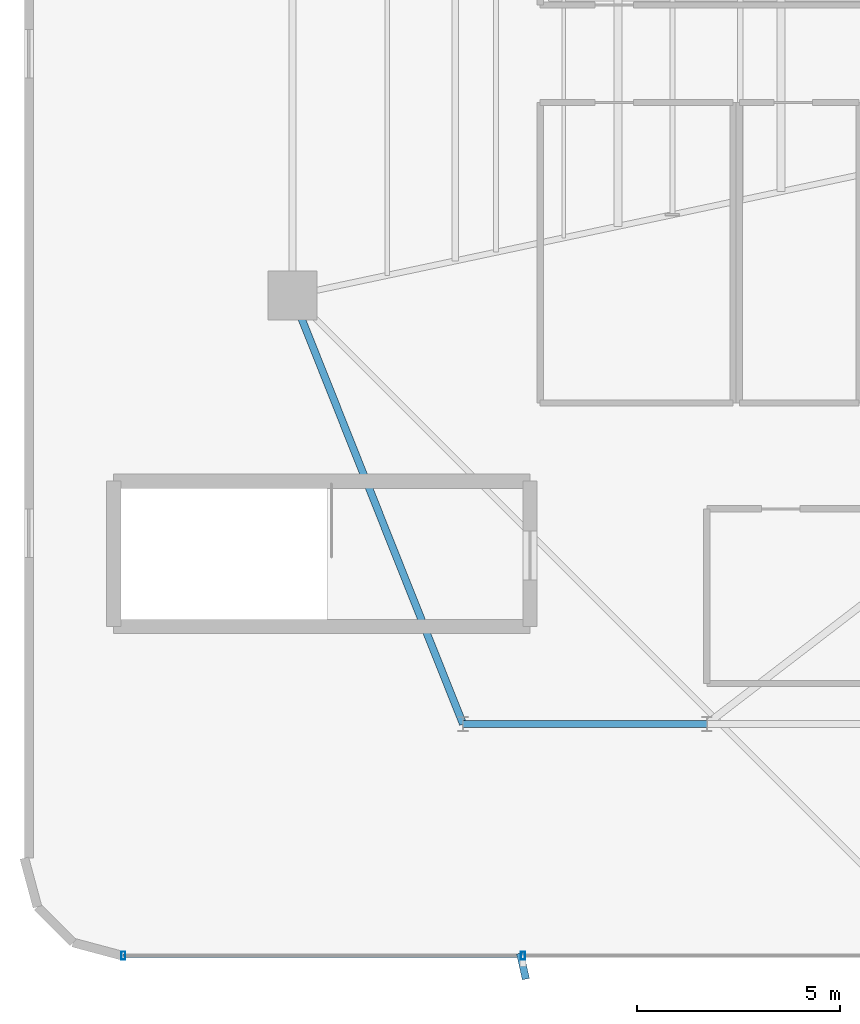
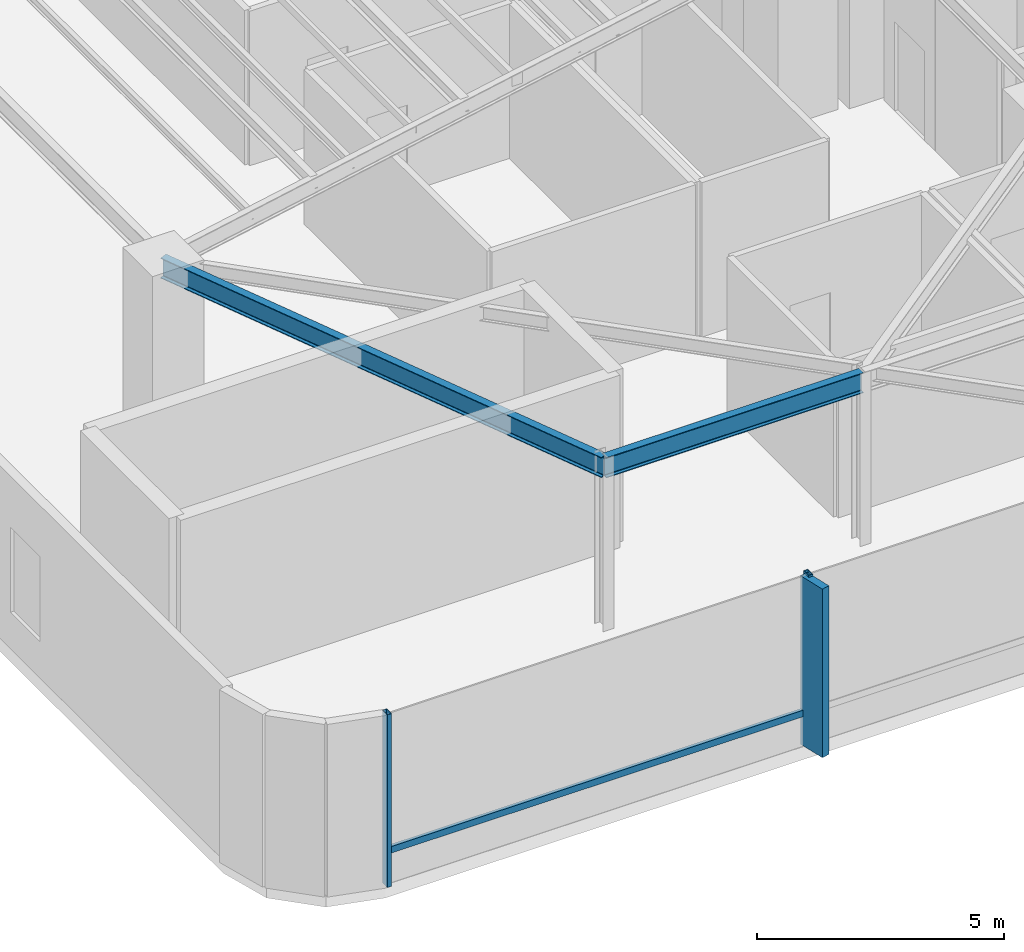
# One storey, part 5 of 26: 4 members, 2 beams, 1 element without a shape of its own.
"""IFC4 building model written with IfcOpenShell, lengths in metres."""

from ifc_helpers import new_model, si_unit, direction, frame, origin, origin_2d, place, context, subcontext, project, spatial, rectangle, hollow_rectangle, i_section, extrude, source, transform, mapped, material, material_profile, profile_set, type_object, element, aggregate, save


model = new_model("IFC4")

# Units and contexts
model_context = context("Model", 3, precision=1e-05, world=origin(), true_north=direction((0.0, 1.0)))
body_context = subcontext(model_context, "Body", "Model", "MODEL_VIEW")
ifc_project = project(units=[si_unit("LENGTHUNIT", "METRE"), si_unit("AREAUNIT", "SQUARE_METRE"), si_unit("VOLUMEUNIT", "CUBIC_METRE"), si_unit("PLANEANGLEUNIT", "RADIAN"), si_unit("MASSUNIT", "GRAM", prefix="KILO")], contexts=[model_context])

# Site, building, storey
site_placement = place(None, origin())
site = spatial("IfcSite", under=ifc_project, at=site_placement, CompositionType="ELEMENT")
building_placement = place(site_placement, origin())
building = spatial("IfcBuilding", under=site, at=building_placement, Name="Sahyath Konkavel Grand Hotel", CompositionType="ELEMENT")
storey_placement = place(building_placement, frame((0.0, 0.0, 18.60009765625)))
storey = spatial("IfcBuildingStorey", under=building, at=storey_placement, Name="L04", CompositionType="ELEMENT", Elevation=18.60009765625)

# Beams
ifc_material_1 = material(Name="Steel E350", Category="steel")
ifc_material_profile_1 = material_profile(ifc_material_1, i_section(OverallWidth=0.179931640625, OverallDepth=0.5, WebThickness=0.01025390625, FlangeThickness=0.01708984375, FilletRadius=0.01708984375, at=origin_2d()), Name="ISMB 500")
ifc_profile_set_1 = profile_set([ifc_material_profile_1], Name="Steel E350")
beam_type = type_object("IfcBeamType", Name="BM-ISMB500", PredefinedType="BEAM", material=ifc_profile_set_1)
shared_shape_1 = source(origin(), body_context, "Body", "SweptSolid", [
    extrude(i_section(OverallWidth=0.179931640625, OverallDepth=0.5, WebThickness=0.01025390625, FlangeThickness=0.01708984375, FilletRadius=0.01708984375, at=origin_2d()), origin(), (0.0, 0.0, 1.0), 6.0),
])
beam_1_placement = place(storey_placement, frame((-18.0, -16.5, 3.949951171875), z_axis=(1.0, 0.0, 0.0), x_axis=(0.0, 1.0, 0.0)))
element("IfcBeam", 1, at=beam_1_placement, inside=storey, type_object=beam_type, Name="str:bm:L04:POD34-05", PredefinedType="BEAM", context=body_context, shape_type="MappedRepresentation", body=[
    mapped(shared_shape_1, transform((0.0, 0.0, 0.0), scale=1.0)),
])
shared_shape_2 = source(origin(), body_context, "Body", "SweptSolid", [
    extrude(i_section(OverallWidth=0.179931640625, OverallDepth=0.5, WebThickness=0.01025390625, FlangeThickness=0.01708984375, FilletRadius=0.01708984375, at=origin_2d()), origin(), (0.0, 0.0, 1.0), 11.355224609375),
])
beam_2_placement = place(storey_placement, frame((-18.0, -16.5, 3.949951171875), z_axis=(-0.369866633086, 0.929084858196, 0.0), x_axis=(-0.929084858196, -0.369866633086, 0.0)))
element("IfcBeam", 2, at=beam_2_placement, inside=storey, type_object=beam_type, Name="str:bm:L04:POD34-13", PredefinedType="BEAM", context=body_context, shape_type="MappedRepresentation", body=[
    mapped(shared_shape_2, transform((0.0, 0.0, 0.0), scale=1.0)),
])

# Curtain wall, members
ifc_material_2 = material(Name="Anodised Bronze Aluminium & Low-E Glazing", Category="aluminium")
curtain_wall_type = type_object("IfcCurtainWallType", Name="CW-PODIUM", PredefinedType="NOTDEFINED", material=ifc_material_2)
curtain_wall_placement = place(storey_placement, origin())
curtain_wall = element("IfcCurtainWall", 3, at=curtain_wall_placement, inside=storey, type_object=curtain_wall_type, Name="L04 Unitised Curtain Wall S1", PredefinedType="NOTDEFINED")
ifc_material_3 = material(Name="Anodised Bronze Aluminium", Category="aluminium")
ifc_material_profile_2 = material_profile(ifc_material_3, hollow_rectangle(XDim=0.10009765625, YDim=0.199951171875, WallThickness=0.008056640625, at=origin_2d()), Name="RHS 200x100x8")
ifc_profile_set_2 = profile_set([ifc_material_profile_2], Name="Anodised Bronze Aluminium")
member_type_1 = type_object("IfcMemberType", Name="CW-MUL-200", PredefinedType="MULLION", material=ifc_profile_set_2)
shared_shape_3 = source(origin(), body_context, "Body", "SweptSolid", [
    extrude(hollow_rectangle(XDim=0.10009765625, YDim=0.199951171875, WallThickness=0.008056640625, at=origin_2d()), origin(), (0.0, 0.0, 1.0), 4.260009765625),
])
member_1_placement = place(storey_placement, frame((-26.360107421875, -22.199951171875, 0.0), z_axis=(0.0, 0.0, 1.0), x_axis=(1.0, 0.0, 0.0)))
member_1 = element("IfcMember", 4, at=member_1_placement, type_object=member_type_1, Name="L04 Curtain Wall Mullion S1-0", PredefinedType="MULLION", context=body_context, shape_type="MappedRepresentation", body=[
    mapped(shared_shape_3, transform((0.0, 0.0, 0.0), scale=1.0)),
])
member_2_placement = place(storey_placement, frame((-16.52490234375, -22.199951171875, 0.0), z_axis=(0.0, 0.0, 1.0), x_axis=(1.0, 0.0, 0.0)))
member_2 = element("IfcMember", 5, at=member_2_placement, type_object=member_type_1, Name="L04 Curtain Wall Mullion S1-1", PredefinedType="MULLION", context=body_context, shape_type="MappedRepresentation", body=[
    mapped(shared_shape_3, transform((0.0, 0.0, 0.0), scale=1.0)),
])
ifc_material_4 = material(Name="Warm Buff Sandstone Cladding on Concrete C50/60", Category="masonry")
ifc_material_profile_3 = material_profile(ifc_material_4, rectangle(XDim=0.179931640625, YDim=0.64990234375, at=origin_2d()), Name="FIN 180x650")
ifc_profile_set_3 = profile_set([ifc_material_profile_3], Name="Warm Buff Sandstone Cladding on Concrete C50/60")
member_type_2 = type_object("IfcMemberType", Name="FIN-SANDSTONE-650", PredefinedType="MULLION", material=ifc_profile_set_3)
shared_shape_4 = source(origin(), body_context, "Body", "SweptSolid", [
    extrude(rectangle(XDim=0.179931640625, YDim=0.64990234375, at=origin_2d()), origin(), (0.0, 0.0, 1.0), 4.16015625),
])
member_3_placement = place(storey_placement, frame((-16.52490234375, -22.4599609375, 0.0498046875), z_axis=(0.0, 0.0, 1.0), x_axis=(0.975419299024, 0.220356962886, 0.0)))
member_3 = element("IfcMember", 6, at=member_3_placement, type_object=member_type_2, Name="L04 Sandstone Vertical Solar Fin FIN S1-1", PredefinedType="MULLION", context=body_context, shape_type="MappedRepresentation", body=[
    mapped(shared_shape_4, transform((0.0, 0.0, 0.0), scale=1.0)),
])
ifc_material_profile_4 = material_profile(ifc_material_3, hollow_rectangle(XDim=0.080078125, YDim=0.159912109375, WallThickness=0.006103515625, at=origin_2d()), Name="RHS 160x80x6")
ifc_profile_set_4 = profile_set([ifc_material_profile_4], Name="Anodised Bronze Aluminium")
member_type_3 = type_object("IfcMemberType", Name="CW-TRN-160", PredefinedType="USERDEFINED", material=ifc_profile_set_4)
shared_shape_5 = source(origin(), body_context, "Body", "SweptSolid", [
    extrude(hollow_rectangle(XDim=0.080078125, YDim=0.159912109375, WallThickness=0.006103515625, at=origin_2d()), origin(), (0.0, 0.0, 1.0), 9.835205078125),
])
member_4_placement = place(storey_placement, frame((-26.360107421875, -22.199951171875, 0.849853515625), z_axis=(1.0, 0.0, 0.0), x_axis=(0.0, 1.0, 0.0)))
member_4 = element("IfcMember", 7, at=member_4_placement, type_object=member_type_3, Name="L04 Curtain Wall Transom S1-0-spandrel", ObjectType="TRANSOM", PredefinedType="USERDEFINED", context=body_context, shape_type="MappedRepresentation", body=[
    mapped(shared_shape_5, transform((0.0, 0.0, 0.0), scale=1.0)),
])
aggregate(curtain_wall, [member_1, member_2, member_3, member_4])

save(model, "model.ifc")
